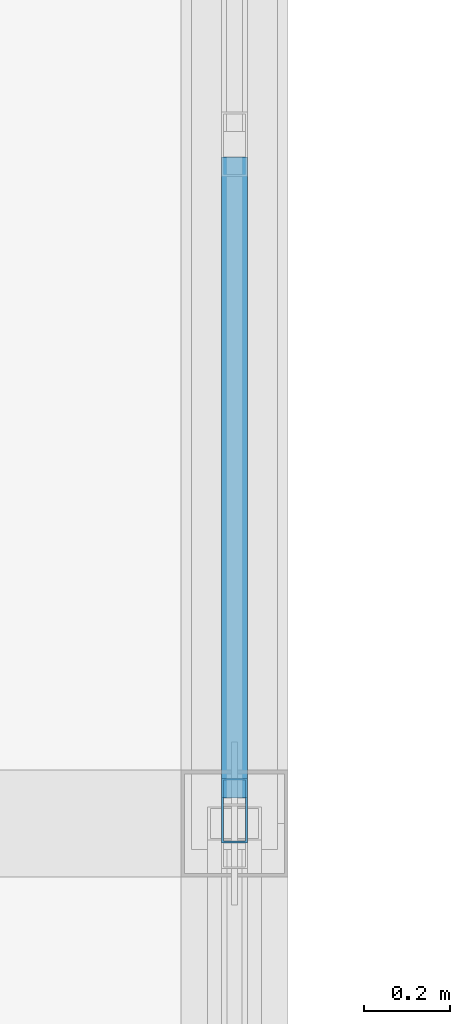
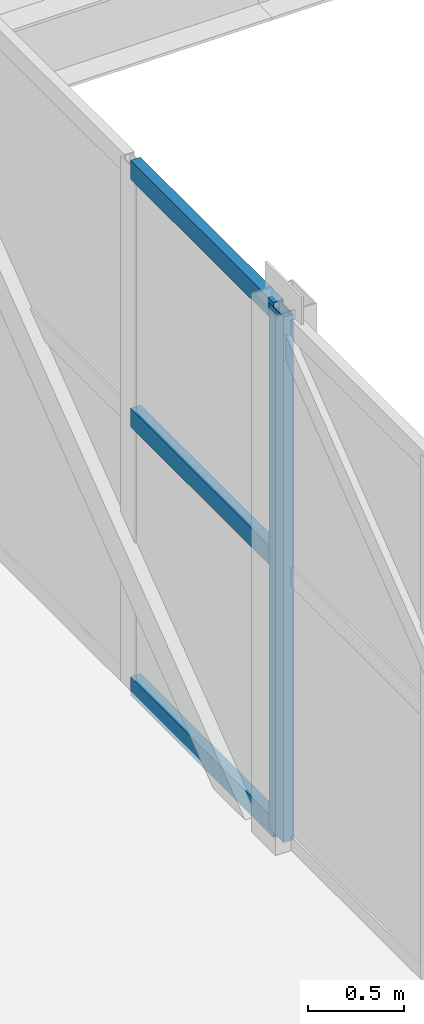
# One storey, part 82 of 218: 4 members, 1 element without a shape of its own.
"""IFC4 building model written with IfcOpenShell, lengths in metres."""

from ifc_helpers import new_model, si_unit, direction, frame, origin, origin_2d, place, context, subcontext, project, spatial, hollow_rectangle, extrude, material, material_profile, profile_set, type_object, element, aggregate, save


model = new_model("IFC4")

# Units and contexts
model_context = context("Model", 3, precision=1e-05, world=origin(), true_north=direction((0.0, 1.0)))
body_context = subcontext(model_context, "Body", "Model", "MODEL_VIEW")
ifc_project = project(units=[si_unit("LENGTHUNIT", "METRE"), si_unit("AREAUNIT", "SQUARE_METRE"), si_unit("VOLUMEUNIT", "CUBIC_METRE"), si_unit("PLANEANGLEUNIT", "RADIAN"), si_unit("MASSUNIT", "GRAM", prefix="KILO")], contexts=[model_context])

# Site, building, storey
site_placement = place(None, origin())
site = spatial("IfcSite", under=ifc_project, at=site_placement, CompositionType="ELEMENT")
building_placement = place(site_placement, origin())
building = spatial("IfcBuilding", under=site, at=building_placement, Name="Kazenagashi Tramway Depot", CompositionType="ELEMENT")
storey_placement = place(building_placement, frame((0.0, 0.0, 6.0)))
storey = spatial("IfcBuildingStorey", under=building, at=storey_placement, Name="L02", CompositionType="ELEMENT", Elevation=6.0)

# Curtain wall, members
ifc_material_1 = material(Name="Anodised Aluminium and Low-E Glazing", Category="aluminium")
curtain_wall_type = type_object("IfcCurtainWallType", Name="CW-29", PredefinedType="USERDEFINED", material=ifc_material_1)
curtain_wall_placement = place(storey_placement, origin())
curtain_wall = element("IfcCurtainWall", 1, at=curtain_wall_placement, inside=storey, type_object=curtain_wall_type, Name="Industrial Glazed Screen CW-29 CW-0156", ObjectType="GLAZED SCREEN", PredefinedType="USERDEFINED")
ifc_material_2 = material(Name="Anodised Aluminium", Category="aluminium")
ifc_material_profile_1 = material_profile(ifc_material_2, hollow_rectangle(XDim=0.06, YDim=0.15, WallThickness=0.004, at=origin_2d()), Name="RHS-150x60x4")
ifc_profile_set_1 = profile_set([ifc_material_profile_1], Name="Anodised Aluminium")
member_type_1 = type_object("IfcMemberType", Name="ML-01", PredefinedType="MULLION", material=ifc_profile_set_1)
member_1_placement = place(storey_placement, frame((91.0, 62.48, 0.0), z_axis=(0.0, 0.0, 1.0), x_axis=(-1.0, 0.0, 0.0)))
member_1 = element("IfcMember", 2, at=member_1_placement, type_object=member_type_1, Name="CW-29 mullion 1", PredefinedType="MULLION", context=body_context, shape_type="SweptSolid", body=[
    extrude(hollow_rectangle(XDim=0.06, YDim=0.15, WallThickness=0.004, at=origin_2d()), origin(), (0.0, 0.0, 1.0), 3.35),
])
ifc_material_profile_2 = material_profile(ifc_material_2, hollow_rectangle(XDim=0.06, YDim=0.12, WallThickness=0.004, at=origin_2d()), Name="RHS-120x60x4")
ifc_profile_set_2 = profile_set([ifc_material_profile_2], Name="Anodised Aluminium")
member_type_2 = type_object("IfcMemberType", Name="TR-01", PredefinedType="USERDEFINED", material=ifc_profile_set_2)
member_2_placement = place(storey_placement, frame((91.0, 62.51, 0.03), z_axis=(0.0, 1.0, 0.0), x_axis=(-1.0, 0.0, 0.0)))
member_2 = element("IfcMember", 3, at=member_2_placement, type_object=member_type_2, Name="CW-29 transom 1.1", ObjectType="TRANSOM", PredefinedType="USERDEFINED", context=body_context, shape_type="SweptSolid", body=[
    extrude(hollow_rectangle(XDim=0.06, YDim=0.12, WallThickness=0.004, at=origin_2d()), origin(), (0.0, 0.0, 1.0), 1.493333),
])
member_3_placement = place(storey_placement, frame((91.0, 62.51, 1.742), z_axis=(0.0, 1.0, 0.0), x_axis=(-1.0, 0.0, 0.0)))
member_3 = element("IfcMember", 4, at=member_3_placement, type_object=member_type_2, Name="CW-29 transom 1.2", ObjectType="TRANSOM", PredefinedType="USERDEFINED", context=body_context, shape_type="SweptSolid", body=[
    extrude(hollow_rectangle(XDim=0.06, YDim=0.12, WallThickness=0.004, at=origin_2d()), origin(), (0.0, 0.0, 1.0), 1.493333),
])
member_4_placement = place(storey_placement, frame((91.0, 62.51, 3.32), z_axis=(0.0, 1.0, 0.0), x_axis=(-1.0, 0.0, 0.0)))
member_4 = element("IfcMember", 5, at=member_4_placement, type_object=member_type_2, Name="CW-29 transom 1.3", ObjectType="TRANSOM", PredefinedType="USERDEFINED", context=body_context, shape_type="SweptSolid", body=[
    extrude(hollow_rectangle(XDim=0.06, YDim=0.12, WallThickness=0.004, at=origin_2d()), origin(), (0.0, 0.0, 1.0), 1.493333),
])
aggregate(curtain_wall, [member_1, member_2, member_3, member_4])

save(model, "model.ifc")
